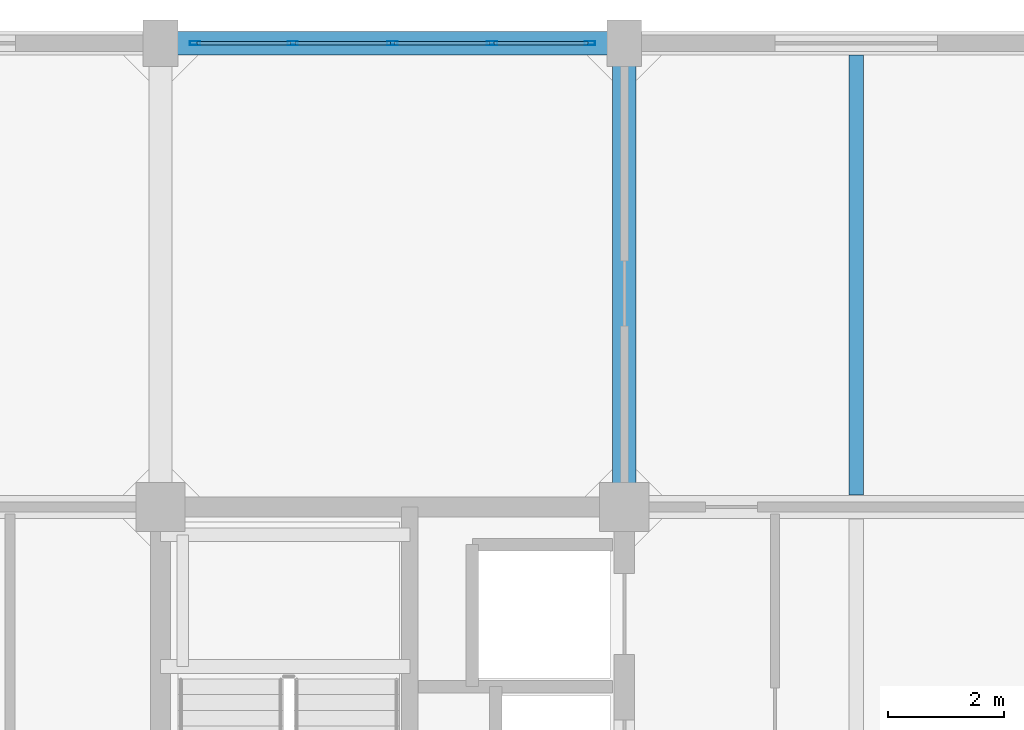
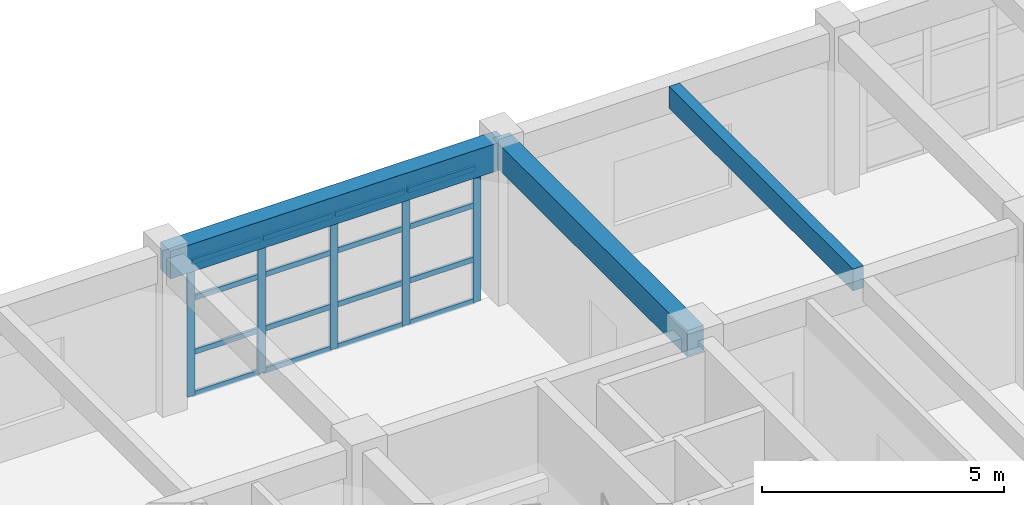
# One storey, part 17 of 30: 21 members, 3 beams, 1 element without a shape of its own.
"""IFC4 building model written with IfcOpenShell, lengths in metres."""

from ifc_helpers import new_model, si_unit, direction, frame, origin, origin_2d, place, context, subcontext, project, spatial, rectangle, hollow_rectangle, extrude, material, layer, layer_set, material_profile, profile_set, type_object, element, aggregate, save


model = new_model("IFC4")

# Units and contexts
model_context = context("Model", 3, precision=1e-05, world=origin(), true_north=direction((0.0, 1.0)))
body_context = subcontext(model_context, "Body", "Model", "MODEL_VIEW")
ifc_project = project(units=[si_unit("LENGTHUNIT", "METRE"), si_unit("AREAUNIT", "SQUARE_METRE"), si_unit("VOLUMEUNIT", "CUBIC_METRE"), si_unit("PLANEANGLEUNIT", "RADIAN"), si_unit("MASSUNIT", "GRAM", prefix="KILO")], contexts=[model_context])

# Site, building, storey
site_placement = place(None, origin())
site = spatial("IfcSite", under=ifc_project, at=site_placement, CompositionType="ELEMENT")
building_placement = place(site_placement, origin())
building = spatial("IfcBuilding", under=site, at=building_placement, Name="Canggui Botanical Conservatory", CompositionType="ELEMENT")
storey_placement = place(building_placement, frame((0.0, 0.0, 27.60009765625)))
storey = spatial("IfcBuildingStorey", under=building, at=storey_placement, Name="L07", CompositionType="ELEMENT", Elevation=27.60009765625)

# Beams
ifc_material_1 = material(Name="Concrete C35", Category="concrete")
ifc_material_profile_1 = material_profile(ifc_material_1, rectangle(XDim=0.25, YDim=0.550048828125, at=origin_2d()), Name="RB 250x550")
ifc_profile_set_1 = profile_set([ifc_material_profile_1], Name="Concrete C35")
beam_type_1 = type_object("IfcBeamType", Name="BM-JST03", PredefinedType="JOIST", material=ifc_profile_set_1)
beam_1_placement = place(storey_placement, frame((166.0, 66.205078125, 3.684814453125), z_axis=(0.0, 1.0, 0.0), x_axis=(-1.0, 0.0, 0.0)))
element("IfcBeam", 1, at=beam_1_placement, inside=storey, type_object=beam_type_1, Name="Secondary Floor Joist L07-4-5", PredefinedType="JOIST", context=body_context, shape_type="SweptSolid", body=[
    extrude(rectangle(XDim=0.25, YDim=0.550048828125, at=origin_2d()), origin(), (0.0, 0.0, 1.0), 7.58984375),
])
ifc_material_profile_2 = material_profile(ifc_material_1, rectangle(XDim=0.39990234375, YDim=0.699951171875, at=origin_2d()), Name="RB 400x700")
ifc_profile_set_2 = profile_set([ifc_material_profile_2], Name="Concrete C35")
beam_type_2 = type_object("IfcBeamType", Name="BM-KL11", PredefinedType="BEAM", material=ifc_profile_set_2)
beam_2_placement = place(storey_placement, frame((154.0, 74.0, 3.60986328125), z_axis=(1.0, 0.0, 0.0), x_axis=(0.0, 1.0, 0.0)))
element("IfcBeam", 2, at=beam_2_placement, inside=storey, type_object=beam_type_2, Name="Frame Girder L07 Y74-3", PredefinedType="BEAM", context=body_context, shape_type="SweptSolid", body=[
    extrude(rectangle(XDim=0.39990234375, YDim=0.699951171875, at=origin_2d()), origin(), (0.0, 0.0, 1.0), 8.0),
])
ifc_material_profile_3 = material_profile(ifc_material_1, rectangle(XDim=0.39990234375, YDim=0.64990234375, at=origin_2d()), Name="RB 400x650")
ifc_profile_set_3 = profile_set([ifc_material_profile_3], Name="Concrete C35")
beam_type_3 = type_object("IfcBeamType", Name="BM-KL12", PredefinedType="BEAM", material=ifc_profile_set_3)
beam_3_placement = place(storey_placement, frame((162.0, 66.0, 3.635009765625), z_axis=(0.0, 1.0, 0.0), x_axis=(-1.0, 0.0, 0.0)))
element("IfcBeam", 3, at=beam_3_placement, inside=storey, type_object=beam_type_3, Name="Frame Girder L07 X162-5", PredefinedType="BEAM", context=body_context, shape_type="SweptSolid", body=[
    extrude(rectangle(XDim=0.39990234375, YDim=0.64990234375, at=origin_2d()), origin(), (0.0, 0.0, 1.0), 8.0),
])

# Curtain wall, members
ifc_material_2 = material(Name="Thermally Broken Aluminium", Category="aluminium")
ifc_layer = layer(ifc_material_2, 0.179931640625, Name="Thermally Broken Aluminium", Category="aluminium")
ifc_layer_set = layer_set([ifc_layer], Name="Thermally Broken Aluminium")
curtain_wall_type = type_object("IfcCurtainWallType", Name="CW-UNIT-A", PredefinedType="USERDEFINED", material=ifc_layer_set)
curtain_wall_placement = place(storey_placement, origin())
curtain_wall = element("IfcCurtainWall", 4, at=curtain_wall_placement, inside=storey, type_object=curtain_wall_type, Name="Facade Curtain Wall CW-TWR-L07-13", ObjectType="UNITISED CURTAIN WALL", PredefinedType="USERDEFINED")
ifc_material_profile_4 = material_profile(ifc_material_2, hollow_rectangle(XDim=0.070068359375, YDim=0.179931640625, WallThickness=0.00390625, at=origin_2d()), Name="CWM 70x180x4")
ifc_profile_set_4 = profile_set([ifc_material_profile_4], Name="Thermally Broken Aluminium")
member_type_1 = type_object("IfcMemberType", Name="CWM-01", PredefinedType="MULLION", material=ifc_profile_set_4)
member_1_placement = place(storey_placement, frame((154.594970703125, 74.0, 0.0), z_axis=(0.0, 0.0, 1.0), x_axis=(0.0, 1.0, 0.0)))
member_1 = element("IfcMember", 5, at=member_1_placement, type_object=member_type_1, Name="CW-01 mullion 1", PredefinedType="MULLION", context=body_context, shape_type="SweptSolid", body=[
    extrude(hollow_rectangle(XDim=0.070068359375, YDim=0.179931640625, WallThickness=0.00390625, at=origin_2d()), origin(), (0.0, 0.0, 1.0), 3.39990234375),
])
member_2_placement = place(storey_placement, frame((156.280029296875, 74.0, 0.0), z_axis=(0.0, 0.0, 1.0), x_axis=(0.0, 1.0, 0.0)))
member_2 = element("IfcMember", 6, at=member_2_placement, type_object=member_type_1, Name="CW-01 mullion 2", PredefinedType="MULLION", context=body_context, shape_type="SweptSolid", body=[
    extrude(hollow_rectangle(XDim=0.070068359375, YDim=0.179931640625, WallThickness=0.00390625, at=origin_2d()), origin(), (0.0, 0.0, 1.0), 3.39990234375),
])
member_3_placement = place(storey_placement, frame((158.0, 74.0, 0.0), z_axis=(0.0, 0.0, 1.0), x_axis=(0.0, 1.0, 0.0)))
member_3 = element("IfcMember", 7, at=member_3_placement, type_object=member_type_1, Name="CW-01 mullion 3", PredefinedType="MULLION", context=body_context, shape_type="SweptSolid", body=[
    extrude(hollow_rectangle(XDim=0.070068359375, YDim=0.179931640625, WallThickness=0.00390625, at=origin_2d()), origin(), (0.0, 0.0, 1.0), 3.39990234375),
])
member_4_placement = place(storey_placement, frame((159.719970703125, 74.0, 0.0), z_axis=(0.0, 0.0, 1.0), x_axis=(0.0, 1.0, 0.0)))
member_4 = element("IfcMember", 8, at=member_4_placement, type_object=member_type_1, Name="CW-01 mullion 4", PredefinedType="MULLION", context=body_context, shape_type="SweptSolid", body=[
    extrude(hollow_rectangle(XDim=0.070068359375, YDim=0.179931640625, WallThickness=0.00390625, at=origin_2d()), origin(), (0.0, 0.0, 1.0), 3.39990234375),
])
member_5_placement = place(storey_placement, frame((161.405029296875, 74.0, 0.0), z_axis=(0.0, 0.0, 1.0), x_axis=(0.0, 1.0, 0.0)))
member_5 = element("IfcMember", 9, at=member_5_placement, type_object=member_type_1, Name="CW-01 mullion 5", PredefinedType="MULLION", context=body_context, shape_type="SweptSolid", body=[
    extrude(hollow_rectangle(XDim=0.070068359375, YDim=0.179931640625, WallThickness=0.00390625, at=origin_2d()), origin(), (0.0, 0.0, 1.0), 3.39990234375),
])
ifc_material_profile_5 = material_profile(ifc_material_2, hollow_rectangle(XDim=0.06494140625, YDim=0.1298828125, WallThickness=0.00341796875, at=origin_2d()), Name="CWT 65x130x3.5")
ifc_profile_set_5 = profile_set([ifc_material_profile_5], Name="Thermally Broken Aluminium")
member_type_2 = type_object("IfcMemberType", Name="CWT-01", PredefinedType="USERDEFINED", material=ifc_profile_set_5)
member_6_placement = place(storey_placement, frame((154.6298828125, 74.0, 0.032470703125), z_axis=(1.0, 0.0, 0.0), x_axis=(0.0, 1.0, 0.0)))
member_6 = element("IfcMember", 10, at=member_6_placement, type_object=member_type_2, Name="CW-01 transom 1.1", ObjectType="TRANSOM", PredefinedType="USERDEFINED", context=body_context, shape_type="SweptSolid", body=[
    extrude(hollow_rectangle(XDim=0.06494140625, YDim=0.1298828125, WallThickness=0.00341796875, at=origin_2d()), origin(), (0.0, 0.0, 1.0), 1.615234375),
])
member_7_placement = place(storey_placement, frame((154.6298828125, 74.0, 1.087890625), z_axis=(1.0, 0.0, 0.0), x_axis=(0.0, 1.0, 0.0)))
member_7 = element("IfcMember", 11, at=member_7_placement, type_object=member_type_2, Name="CW-01 transom 1.2", ObjectType="TRANSOM", PredefinedType="USERDEFINED", context=body_context, shape_type="SweptSolid", body=[
    extrude(hollow_rectangle(XDim=0.06494140625, YDim=0.1298828125, WallThickness=0.00341796875, at=origin_2d()), origin(), (0.0, 0.0, 1.0), 1.615234375),
])
member_8_placement = place(storey_placement, frame((154.6298828125, 74.0, 2.447998046875), z_axis=(1.0, 0.0, 0.0), x_axis=(0.0, 1.0, 0.0)))
member_8 = element("IfcMember", 12, at=member_8_placement, type_object=member_type_2, Name="CW-01 transom 1.3", ObjectType="TRANSOM", PredefinedType="USERDEFINED", context=body_context, shape_type="SweptSolid", body=[
    extrude(hollow_rectangle(XDim=0.06494140625, YDim=0.1298828125, WallThickness=0.00341796875, at=origin_2d()), origin(), (0.0, 0.0, 1.0), 1.615234375),
])
member_9_placement = place(storey_placement, frame((154.6298828125, 74.0, 3.367431640625), z_axis=(1.0, 0.0, 0.0), x_axis=(0.0, 1.0, 0.0)))
member_9 = element("IfcMember", 13, at=member_9_placement, type_object=member_type_2, Name="CW-01 transom 1.4", ObjectType="TRANSOM", PredefinedType="USERDEFINED", context=body_context, shape_type="SweptSolid", body=[
    extrude(hollow_rectangle(XDim=0.06494140625, YDim=0.1298828125, WallThickness=0.00341796875, at=origin_2d()), origin(), (0.0, 0.0, 1.0), 1.615234375),
])
member_10_placement = place(storey_placement, frame((156.31494140625, 74.0, 0.032470703125), z_axis=(1.0, 0.0, 0.0), x_axis=(0.0, 1.0, 0.0)))
member_10 = element("IfcMember", 14, at=member_10_placement, type_object=member_type_2, Name="CW-01 transom 2.1", ObjectType="TRANSOM", PredefinedType="USERDEFINED", context=body_context, shape_type="SweptSolid", body=[
    extrude(hollow_rectangle(XDim=0.06494140625, YDim=0.1298828125, WallThickness=0.00341796875, at=origin_2d()), origin(), (0.0, 0.0, 1.0), 1.650146484375),
])
member_11_placement = place(storey_placement, frame((156.31494140625, 74.0, 1.087890625), z_axis=(1.0, 0.0, 0.0), x_axis=(0.0, 1.0, 0.0)))
member_11 = element("IfcMember", 15, at=member_11_placement, type_object=member_type_2, Name="CW-01 transom 2.2", ObjectType="TRANSOM", PredefinedType="USERDEFINED", context=body_context, shape_type="SweptSolid", body=[
    extrude(hollow_rectangle(XDim=0.06494140625, YDim=0.1298828125, WallThickness=0.00341796875, at=origin_2d()), origin(), (0.0, 0.0, 1.0), 1.650146484375),
])
member_12_placement = place(storey_placement, frame((156.31494140625, 74.0, 2.447998046875), z_axis=(1.0, 0.0, 0.0), x_axis=(0.0, 1.0, 0.0)))
member_12 = element("IfcMember", 16, at=member_12_placement, type_object=member_type_2, Name="CW-01 transom 2.3", ObjectType="TRANSOM", PredefinedType="USERDEFINED", context=body_context, shape_type="SweptSolid", body=[
    extrude(hollow_rectangle(XDim=0.06494140625, YDim=0.1298828125, WallThickness=0.00341796875, at=origin_2d()), origin(), (0.0, 0.0, 1.0), 1.650146484375),
])
member_13_placement = place(storey_placement, frame((156.31494140625, 74.0, 3.367431640625), z_axis=(1.0, 0.0, 0.0), x_axis=(0.0, 1.0, 0.0)))
member_13 = element("IfcMember", 17, at=member_13_placement, type_object=member_type_2, Name="CW-01 transom 2.4", ObjectType="TRANSOM", PredefinedType="USERDEFINED", context=body_context, shape_type="SweptSolid", body=[
    extrude(hollow_rectangle(XDim=0.06494140625, YDim=0.1298828125, WallThickness=0.00341796875, at=origin_2d()), origin(), (0.0, 0.0, 1.0), 1.650146484375),
])
member_14_placement = place(storey_placement, frame((158.034912109375, 74.0, 0.032470703125), z_axis=(1.0, 0.0, 0.0), x_axis=(0.0, 1.0, 0.0)))
member_14 = element("IfcMember", 18, at=member_14_placement, type_object=member_type_2, Name="CW-01 transom 3.1", ObjectType="TRANSOM", PredefinedType="USERDEFINED", context=body_context, shape_type="SweptSolid", body=[
    extrude(hollow_rectangle(XDim=0.06494140625, YDim=0.1298828125, WallThickness=0.00341796875, at=origin_2d()), origin(), (0.0, 0.0, 1.0), 1.650146484375),
])
member_15_placement = place(storey_placement, frame((158.034912109375, 74.0, 1.087890625), z_axis=(1.0, 0.0, 0.0), x_axis=(0.0, 1.0, 0.0)))
member_15 = element("IfcMember", 19, at=member_15_placement, type_object=member_type_2, Name="CW-01 transom 3.2", ObjectType="TRANSOM", PredefinedType="USERDEFINED", context=body_context, shape_type="SweptSolid", body=[
    extrude(hollow_rectangle(XDim=0.06494140625, YDim=0.1298828125, WallThickness=0.00341796875, at=origin_2d()), origin(), (0.0, 0.0, 1.0), 1.650146484375),
])
member_16_placement = place(storey_placement, frame((158.034912109375, 74.0, 2.447998046875), z_axis=(1.0, 0.0, 0.0), x_axis=(0.0, 1.0, 0.0)))
member_16 = element("IfcMember", 20, at=member_16_placement, type_object=member_type_2, Name="CW-01 transom 3.3", ObjectType="TRANSOM", PredefinedType="USERDEFINED", context=body_context, shape_type="SweptSolid", body=[
    extrude(hollow_rectangle(XDim=0.06494140625, YDim=0.1298828125, WallThickness=0.00341796875, at=origin_2d()), origin(), (0.0, 0.0, 1.0), 1.650146484375),
])
member_17_placement = place(storey_placement, frame((158.034912109375, 74.0, 3.367431640625), z_axis=(1.0, 0.0, 0.0), x_axis=(0.0, 1.0, 0.0)))
member_17 = element("IfcMember", 21, at=member_17_placement, type_object=member_type_2, Name="CW-01 transom 3.4", ObjectType="TRANSOM", PredefinedType="USERDEFINED", context=body_context, shape_type="SweptSolid", body=[
    extrude(hollow_rectangle(XDim=0.06494140625, YDim=0.1298828125, WallThickness=0.00341796875, at=origin_2d()), origin(), (0.0, 0.0, 1.0), 1.650146484375),
])
member_18_placement = place(storey_placement, frame((159.7548828125, 74.0, 0.032470703125), z_axis=(1.0, 0.0, 0.0), x_axis=(0.0, 1.0, 0.0)))
member_18 = element("IfcMember", 22, at=member_18_placement, type_object=member_type_2, Name="CW-01 transom 4.1", ObjectType="TRANSOM", PredefinedType="USERDEFINED", context=body_context, shape_type="SweptSolid", body=[
    extrude(hollow_rectangle(XDim=0.06494140625, YDim=0.1298828125, WallThickness=0.00341796875, at=origin_2d()), origin(), (0.0, 0.0, 1.0), 1.615234375),
])
member_19_placement = place(storey_placement, frame((159.7548828125, 74.0, 1.087890625), z_axis=(1.0, 0.0, 0.0), x_axis=(0.0, 1.0, 0.0)))
member_19 = element("IfcMember", 23, at=member_19_placement, type_object=member_type_2, Name="CW-01 transom 4.2", ObjectType="TRANSOM", PredefinedType="USERDEFINED", context=body_context, shape_type="SweptSolid", body=[
    extrude(hollow_rectangle(XDim=0.06494140625, YDim=0.1298828125, WallThickness=0.00341796875, at=origin_2d()), origin(), (0.0, 0.0, 1.0), 1.615234375),
])
member_20_placement = place(storey_placement, frame((159.7548828125, 74.0, 2.447998046875), z_axis=(1.0, 0.0, 0.0), x_axis=(0.0, 1.0, 0.0)))
member_20 = element("IfcMember", 24, at=member_20_placement, type_object=member_type_2, Name="CW-01 transom 4.3", ObjectType="TRANSOM", PredefinedType="USERDEFINED", context=body_context, shape_type="SweptSolid", body=[
    extrude(hollow_rectangle(XDim=0.06494140625, YDim=0.1298828125, WallThickness=0.00341796875, at=origin_2d()), origin(), (0.0, 0.0, 1.0), 1.615234375),
])
member_21_placement = place(storey_placement, frame((159.7548828125, 74.0, 3.367431640625), z_axis=(1.0, 0.0, 0.0), x_axis=(0.0, 1.0, 0.0)))
member_21 = element("IfcMember", 25, at=member_21_placement, type_object=member_type_2, Name="CW-01 transom 4.4", ObjectType="TRANSOM", PredefinedType="USERDEFINED", context=body_context, shape_type="SweptSolid", body=[
    extrude(hollow_rectangle(XDim=0.06494140625, YDim=0.1298828125, WallThickness=0.00341796875, at=origin_2d()), origin(), (0.0, 0.0, 1.0), 1.615234375),
])
aggregate(curtain_wall, [member_1, member_2, member_3, member_4, member_5, member_6, member_7, member_8, member_9, member_10, member_11, member_12, member_13, member_14, member_15, member_16, member_17, member_18, member_19, member_20, member_21])

save(model, "model.ifc")
